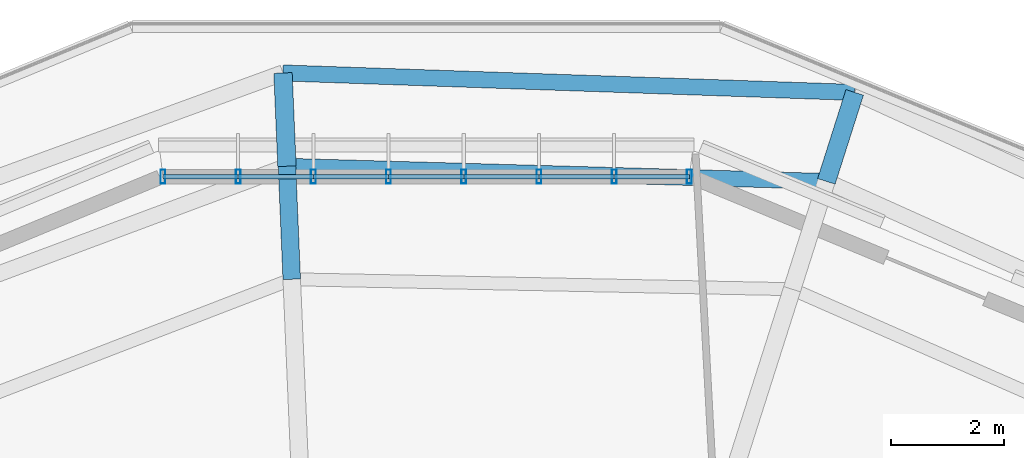
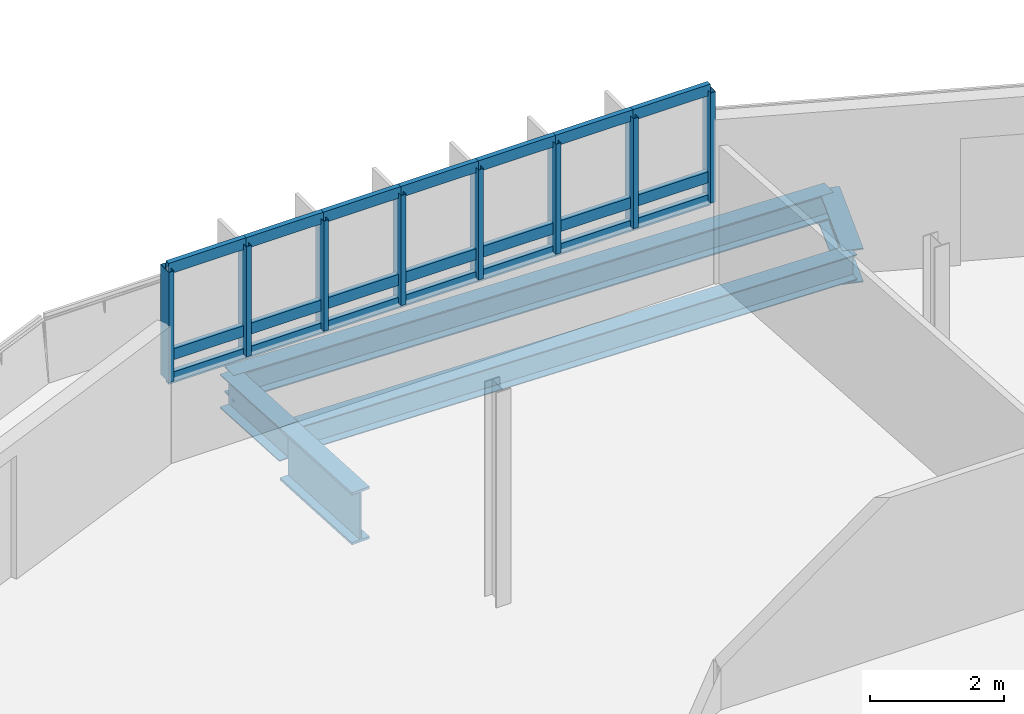
# One storey, part 19 of 31: 29 members, 5 beams, 1 element without a shape of its own.
"""IFC4 building model written with IfcOpenShell, lengths in metres."""

from ifc_helpers import new_model, si_unit, derived_unit, direction, frame, origin, origin_2d, place, context, subcontext, project, spatial, hollow_rectangle, i_section, extrude, material, layer, layer_set, material_profile, profile_set, type_object, element, aggregate, save


model = new_model("IFC4")

# Units and contexts
model_context = context("Model", 3, precision=1e-05, world=origin(), true_north=direction((0.0, 1.0)))
body_context = subcontext(model_context, "Body", "Model", "MODEL_VIEW")
ifc_project = project(units=[si_unit("LENGTHUNIT", "METRE"), si_unit("AREAUNIT", "SQUARE_METRE"), si_unit("VOLUMEUNIT", "CUBIC_METRE"), si_unit("PLANEANGLEUNIT", "RADIAN"), si_unit("MASSUNIT", "GRAM", prefix="KILO"), derived_unit("THERMALTRANSMITTANCEUNIT", [(si_unit("MASSUNIT", "GRAM", prefix="KILO"), 1), (si_unit("TIMEUNIT", "SECOND"), -3), (si_unit("THERMODYNAMICTEMPERATUREUNIT", "KELVIN"), -1)])], contexts=[model_context])

# Site, building, storey
site_placement = place(None, origin())
site = spatial("IfcSite", under=ifc_project, at=site_placement, CompositionType="ELEMENT")
building_placement = place(site_placement, origin())
building = spatial("IfcBuilding", under=site, at=building_placement, Name="Makaiwela Harbour Ferry Terminal", CompositionType="ELEMENT")
storey_placement = place(building_placement, frame((0.0, 0.0, 21.60009765625)))
storey = spatial("IfcBuildingStorey", under=building, at=storey_placement, Name="L05", CompositionType="ELEMENT", Elevation=21.60009765625)

# Curtain wall, members
ifc_material_1 = material(Name="Marine anodised aluminium 6063-T6", Category="aluminium")
ifc_layer = layer(ifc_material_1, 0.199951171875)
ifc_layer_set = layer_set([ifc_layer], Name="Marine anodised aluminium 6063-T6")
curtain_wall_type = type_object("IfcCurtainWallType", Name="ENV-CW-07", PredefinedType="USERDEFINED", material=ifc_layer_set)
curtain_wall_placement = place(storey_placement, origin())
curtain_wall = element("IfcCurtainWall", 1, at=curtain_wall_placement, inside=storey, type_object=curtain_wall_type, Name="Unitised Curtain Wall CWA-060", ObjectType="UNITIZED CURTAIN WALL", PredefinedType="USERDEFINED")
ifc_material_profile_1 = material_profile(ifc_material_1, hollow_rectangle(XDim=0.0849609375, YDim=0.25, WallThickness=0.0048828125, at=origin_2d()), Name="CWM-250X85")
ifc_profile_set_1 = profile_set([ifc_material_profile_1], Name="Marine anodised aluminium 6063-T6")
member_type_1 = type_object("IfcMemberType", Name="CW-MUL-250", PredefinedType="MULLION", material=ifc_profile_set_1)
member_1_placement = place(storey_placement, frame((40.2021484375, 92.638916015625, 1.47998046875), z_axis=(0.0, 0.0, 1.0), x_axis=(1.0, 0.0, 0.0)))
member_1 = element("IfcMember", 2, at=member_1_placement, type_object=member_type_1, Name="Curtain Wall Mullion CWA-060-1", PredefinedType="MULLION", context=body_context, shape_type="SweptSolid", body=[
    extrude(hollow_rectangle(XDim=0.0849609375, YDim=0.25, WallThickness=0.0048828125, at=origin_2d()), origin(), (0.0, 0.0, 1.0), 2.0),
])
member_2_placement = place(storey_placement, frame((38.873046875, 92.638916015625, 1.47998046875), z_axis=(0.0, 0.0, 1.0), x_axis=(1.0, 0.0, 0.0)))
member_2 = element("IfcMember", 3, at=member_2_placement, type_object=member_type_1, Name="Curtain Wall Mullion CWA-060-2", PredefinedType="MULLION", context=body_context, shape_type="SweptSolid", body=[
    extrude(hollow_rectangle(XDim=0.0849609375, YDim=0.25, WallThickness=0.0048828125, at=origin_2d()), origin(), (0.0, 0.0, 1.0), 2.0),
])
member_3_placement = place(storey_placement, frame((37.543701171875, 92.638916015625, 1.47998046875), z_axis=(0.0, 0.0, 1.0), x_axis=(1.0, 0.0, 0.0)))
member_3 = element("IfcMember", 4, at=member_3_placement, type_object=member_type_1, Name="Curtain Wall Mullion CWA-060-3", PredefinedType="MULLION", context=body_context, shape_type="SweptSolid", body=[
    extrude(hollow_rectangle(XDim=0.0849609375, YDim=0.25, WallThickness=0.0048828125, at=origin_2d()), origin(), (0.0, 0.0, 1.0), 2.0),
])
member_4_placement = place(storey_placement, frame((36.214599609375, 92.638916015625, 1.47998046875), z_axis=(0.0, 0.0, 1.0), x_axis=(1.0, 0.0, 0.0)))
member_4 = element("IfcMember", 5, at=member_4_placement, type_object=member_type_1, Name="Curtain Wall Mullion CWA-060-4", PredefinedType="MULLION", context=body_context, shape_type="SweptSolid", body=[
    extrude(hollow_rectangle(XDim=0.0849609375, YDim=0.25, WallThickness=0.0048828125, at=origin_2d()), origin(), (0.0, 0.0, 1.0), 2.0),
])
member_5_placement = place(storey_placement, frame((34.885498046875, 92.638916015625, 1.47998046875), z_axis=(0.0, 0.0, 1.0), x_axis=(1.0, 0.0, 0.0)))
member_5 = element("IfcMember", 6, at=member_5_placement, type_object=member_type_1, Name="Curtain Wall Mullion CWA-060-5", PredefinedType="MULLION", context=body_context, shape_type="SweptSolid", body=[
    extrude(hollow_rectangle(XDim=0.0849609375, YDim=0.25, WallThickness=0.0048828125, at=origin_2d()), origin(), (0.0, 0.0, 1.0), 2.0),
])
member_6_placement = place(storey_placement, frame((33.55615234375, 92.638916015625, 1.47998046875), z_axis=(0.0, 0.0, 1.0), x_axis=(1.0, 0.0, 0.0)))
member_6 = element("IfcMember", 7, at=member_6_placement, type_object=member_type_1, Name="Curtain Wall Mullion CWA-060-6", PredefinedType="MULLION", context=body_context, shape_type="SweptSolid", body=[
    extrude(hollow_rectangle(XDim=0.0849609375, YDim=0.25, WallThickness=0.0048828125, at=origin_2d()), origin(), (0.0, 0.0, 1.0), 2.0),
])
member_7_placement = place(storey_placement, frame((32.22705078125, 92.638916015625, 1.47998046875), z_axis=(0.0, 0.0, 1.0), x_axis=(1.0, 0.0, 0.0)))
member_7 = element("IfcMember", 8, at=member_7_placement, type_object=member_type_1, Name="Curtain Wall Mullion CWA-060-7", PredefinedType="MULLION", context=body_context, shape_type="SweptSolid", body=[
    extrude(hollow_rectangle(XDim=0.0849609375, YDim=0.25, WallThickness=0.0048828125, at=origin_2d()), origin(), (0.0, 0.0, 1.0), 2.0),
])
member_8_placement = place(storey_placement, frame((30.897705078125, 92.638916015625, 1.47998046875), z_axis=(0.0, 0.0, 1.0), x_axis=(1.0, 0.0, 0.0)))
member_8 = element("IfcMember", 9, at=member_8_placement, type_object=member_type_1, Name="Curtain Wall Mullion CWA-060-8", PredefinedType="MULLION", context=body_context, shape_type="SweptSolid", body=[
    extrude(hollow_rectangle(XDim=0.0849609375, YDim=0.25, WallThickness=0.0048828125, at=origin_2d()), origin(), (0.0, 0.0, 1.0), 2.0),
])
ifc_material_profile_2 = material_profile(ifc_material_1, hollow_rectangle(XDim=0.0849609375, YDim=0.199951171875, WallThickness=0.0048828125, at=origin_2d()), Name="CWT-200X85")
ifc_profile_set_2 = profile_set([ifc_material_profile_2], Name="Marine anodised aluminium 6063-T6")
member_type_2 = type_object("IfcMemberType", Name="CW-TRN-200", PredefinedType="USERDEFINED", material=ifc_profile_set_2)
member_9_placement = place(storey_placement, frame((40.2021484375, 92.638916015625, 1.47998046875), z_axis=(-1.0, 0.0, 0.0), x_axis=(0.0, -1.0, 0.0)))
member_9 = element("IfcMember", 10, at=member_9_placement, type_object=member_type_2, Name="Curtain Wall Transom CWA-060-1-1", ObjectType="TRANSOM", PredefinedType="USERDEFINED", context=body_context, shape_type="SweptSolid", body=[
    extrude(hollow_rectangle(XDim=0.0849609375, YDim=0.199951171875, WallThickness=0.0048828125, at=origin_2d()), origin(), (0.0, 0.0, 1.0), 1.3291015625),
])
member_10_placement = place(storey_placement, frame((40.2021484375, 92.638916015625, 1.89990234375), z_axis=(-1.0, 0.0, 0.0), x_axis=(0.0, -1.0, 0.0)))
member_10 = element("IfcMember", 11, at=member_10_placement, type_object=member_type_2, Name="Curtain Wall Transom CWA-060-1-2", ObjectType="TRANSOM", PredefinedType="USERDEFINED", context=body_context, shape_type="SweptSolid", body=[
    extrude(hollow_rectangle(XDim=0.0849609375, YDim=0.199951171875, WallThickness=0.0048828125, at=origin_2d()), origin(), (0.0, 0.0, 1.0), 1.3291015625),
])
member_11_placement = place(storey_placement, frame((40.2021484375, 92.638916015625, 3.47998046875), z_axis=(-1.0, 0.0, 0.0), x_axis=(0.0, -1.0, 0.0)))
member_11 = element("IfcMember", 12, at=member_11_placement, type_object=member_type_2, Name="Curtain Wall Transom CWA-060-1-3", ObjectType="TRANSOM", PredefinedType="USERDEFINED", context=body_context, shape_type="SweptSolid", body=[
    extrude(hollow_rectangle(XDim=0.0849609375, YDim=0.199951171875, WallThickness=0.0048828125, at=origin_2d()), origin(), (0.0, 0.0, 1.0), 1.3291015625),
])
member_12_placement = place(storey_placement, frame((38.873046875, 92.638916015625, 1.47998046875), z_axis=(-1.0, 0.0, 0.0), x_axis=(0.0, -1.0, 0.0)))
member_12 = element("IfcMember", 13, at=member_12_placement, type_object=member_type_2, Name="Curtain Wall Transom CWA-060-2-1", ObjectType="TRANSOM", PredefinedType="USERDEFINED", context=body_context, shape_type="SweptSolid", body=[
    extrude(hollow_rectangle(XDim=0.0849609375, YDim=0.199951171875, WallThickness=0.0048828125, at=origin_2d()), origin(), (0.0, 0.0, 1.0), 1.329345703125),
])
member_13_placement = place(storey_placement, frame((38.873046875, 92.638916015625, 1.89990234375), z_axis=(-1.0, 0.0, 0.0), x_axis=(0.0, -1.0, 0.0)))
member_13 = element("IfcMember", 14, at=member_13_placement, type_object=member_type_2, Name="Curtain Wall Transom CWA-060-2-2", ObjectType="TRANSOM", PredefinedType="USERDEFINED", context=body_context, shape_type="SweptSolid", body=[
    extrude(hollow_rectangle(XDim=0.0849609375, YDim=0.199951171875, WallThickness=0.0048828125, at=origin_2d()), origin(), (0.0, 0.0, 1.0), 1.329345703125),
])
member_14_placement = place(storey_placement, frame((38.873046875, 92.638916015625, 3.47998046875), z_axis=(-1.0, 0.0, 0.0), x_axis=(0.0, -1.0, 0.0)))
member_14 = element("IfcMember", 15, at=member_14_placement, type_object=member_type_2, Name="Curtain Wall Transom CWA-060-2-3", ObjectType="TRANSOM", PredefinedType="USERDEFINED", context=body_context, shape_type="SweptSolid", body=[
    extrude(hollow_rectangle(XDim=0.0849609375, YDim=0.199951171875, WallThickness=0.0048828125, at=origin_2d()), origin(), (0.0, 0.0, 1.0), 1.329345703125),
])
member_15_placement = place(storey_placement, frame((37.543701171875, 92.638916015625, 1.47998046875), z_axis=(-1.0, 0.0, 0.0), x_axis=(0.0, -1.0, 0.0)))
member_15 = element("IfcMember", 16, at=member_15_placement, type_object=member_type_2, Name="Curtain Wall Transom CWA-060-3-1", ObjectType="TRANSOM", PredefinedType="USERDEFINED", context=body_context, shape_type="SweptSolid", body=[
    extrude(hollow_rectangle(XDim=0.0849609375, YDim=0.199951171875, WallThickness=0.0048828125, at=origin_2d()), origin(), (0.0, 0.0, 1.0), 1.3291015625),
])
member_16_placement = place(storey_placement, frame((37.543701171875, 92.638916015625, 1.89990234375), z_axis=(-1.0, 0.0, 0.0), x_axis=(0.0, -1.0, 0.0)))
member_16 = element("IfcMember", 17, at=member_16_placement, type_object=member_type_2, Name="Curtain Wall Transom CWA-060-3-2", ObjectType="TRANSOM", PredefinedType="USERDEFINED", context=body_context, shape_type="SweptSolid", body=[
    extrude(hollow_rectangle(XDim=0.0849609375, YDim=0.199951171875, WallThickness=0.0048828125, at=origin_2d()), origin(), (0.0, 0.0, 1.0), 1.3291015625),
])
member_17_placement = place(storey_placement, frame((37.543701171875, 92.638916015625, 3.47998046875), z_axis=(-1.0, 0.0, 0.0), x_axis=(0.0, -1.0, 0.0)))
member_17 = element("IfcMember", 18, at=member_17_placement, type_object=member_type_2, Name="Curtain Wall Transom CWA-060-3-3", ObjectType="TRANSOM", PredefinedType="USERDEFINED", context=body_context, shape_type="SweptSolid", body=[
    extrude(hollow_rectangle(XDim=0.0849609375, YDim=0.199951171875, WallThickness=0.0048828125, at=origin_2d()), origin(), (0.0, 0.0, 1.0), 1.3291015625),
])
member_18_placement = place(storey_placement, frame((36.214599609375, 92.638916015625, 1.47998046875), z_axis=(-1.0, 0.0, 0.0), x_axis=(0.0, -1.0, 0.0)))
member_18 = element("IfcMember", 19, at=member_18_placement, type_object=member_type_2, Name="Curtain Wall Transom CWA-060-4-1", ObjectType="TRANSOM", PredefinedType="USERDEFINED", context=body_context, shape_type="SweptSolid", body=[
    extrude(hollow_rectangle(XDim=0.0849609375, YDim=0.199951171875, WallThickness=0.0048828125, at=origin_2d()), origin(), (0.0, 0.0, 1.0), 1.3291015625),
])
member_19_placement = place(storey_placement, frame((36.214599609375, 92.638916015625, 1.89990234375), z_axis=(-1.0, 0.0, 0.0), x_axis=(0.0, -1.0, 0.0)))
member_19 = element("IfcMember", 20, at=member_19_placement, type_object=member_type_2, Name="Curtain Wall Transom CWA-060-4-2", ObjectType="TRANSOM", PredefinedType="USERDEFINED", context=body_context, shape_type="SweptSolid", body=[
    extrude(hollow_rectangle(XDim=0.0849609375, YDim=0.199951171875, WallThickness=0.0048828125, at=origin_2d()), origin(), (0.0, 0.0, 1.0), 1.3291015625),
])
member_20_placement = place(storey_placement, frame((36.214599609375, 92.638916015625, 3.47998046875), z_axis=(-1.0, 0.0, 0.0), x_axis=(0.0, -1.0, 0.0)))
member_20 = element("IfcMember", 21, at=member_20_placement, type_object=member_type_2, Name="Curtain Wall Transom CWA-060-4-3", ObjectType="TRANSOM", PredefinedType="USERDEFINED", context=body_context, shape_type="SweptSolid", body=[
    extrude(hollow_rectangle(XDim=0.0849609375, YDim=0.199951171875, WallThickness=0.0048828125, at=origin_2d()), origin(), (0.0, 0.0, 1.0), 1.3291015625),
])
member_21_placement = place(storey_placement, frame((34.885498046875, 92.638916015625, 1.47998046875), z_axis=(-1.0, 0.0, 0.0), x_axis=(0.0, -1.0, 0.0)))
member_21 = element("IfcMember", 22, at=member_21_placement, type_object=member_type_2, Name="Curtain Wall Transom CWA-060-5-1", ObjectType="TRANSOM", PredefinedType="USERDEFINED", context=body_context, shape_type="SweptSolid", body=[
    extrude(hollow_rectangle(XDim=0.0849609375, YDim=0.199951171875, WallThickness=0.0048828125, at=origin_2d()), origin(), (0.0, 0.0, 1.0), 1.329345703125),
])
member_22_placement = place(storey_placement, frame((34.885498046875, 92.638916015625, 1.89990234375), z_axis=(-1.0, 0.0, 0.0), x_axis=(0.0, -1.0, 0.0)))
member_22 = element("IfcMember", 23, at=member_22_placement, type_object=member_type_2, Name="Curtain Wall Transom CWA-060-5-2", ObjectType="TRANSOM", PredefinedType="USERDEFINED", context=body_context, shape_type="SweptSolid", body=[
    extrude(hollow_rectangle(XDim=0.0849609375, YDim=0.199951171875, WallThickness=0.0048828125, at=origin_2d()), origin(), (0.0, 0.0, 1.0), 1.329345703125),
])
member_23_placement = place(storey_placement, frame((34.885498046875, 92.638916015625, 3.47998046875), z_axis=(-1.0, 0.0, 0.0), x_axis=(0.0, -1.0, 0.0)))
member_23 = element("IfcMember", 24, at=member_23_placement, type_object=member_type_2, Name="Curtain Wall Transom CWA-060-5-3", ObjectType="TRANSOM", PredefinedType="USERDEFINED", context=body_context, shape_type="SweptSolid", body=[
    extrude(hollow_rectangle(XDim=0.0849609375, YDim=0.199951171875, WallThickness=0.0048828125, at=origin_2d()), origin(), (0.0, 0.0, 1.0), 1.329345703125),
])
member_24_placement = place(storey_placement, frame((33.55615234375, 92.638916015625, 1.47998046875), z_axis=(-1.0, 0.0, 0.0), x_axis=(0.0, -1.0, 0.0)))
member_24 = element("IfcMember", 25, at=member_24_placement, type_object=member_type_2, Name="Curtain Wall Transom CWA-060-6-1", ObjectType="TRANSOM", PredefinedType="USERDEFINED", context=body_context, shape_type="SweptSolid", body=[
    extrude(hollow_rectangle(XDim=0.0849609375, YDim=0.199951171875, WallThickness=0.0048828125, at=origin_2d()), origin(), (0.0, 0.0, 1.0), 1.3291015625),
])
member_25_placement = place(storey_placement, frame((33.55615234375, 92.638916015625, 1.89990234375), z_axis=(-1.0, 0.0, 0.0), x_axis=(0.0, -1.0, 0.0)))
member_25 = element("IfcMember", 26, at=member_25_placement, type_object=member_type_2, Name="Curtain Wall Transom CWA-060-6-2", ObjectType="TRANSOM", PredefinedType="USERDEFINED", context=body_context, shape_type="SweptSolid", body=[
    extrude(hollow_rectangle(XDim=0.0849609375, YDim=0.199951171875, WallThickness=0.0048828125, at=origin_2d()), origin(), (0.0, 0.0, 1.0), 1.3291015625),
])
member_26_placement = place(storey_placement, frame((33.55615234375, 92.638916015625, 3.47998046875), z_axis=(-1.0, 0.0, 0.0), x_axis=(0.0, -1.0, 0.0)))
member_26 = element("IfcMember", 27, at=member_26_placement, type_object=member_type_2, Name="Curtain Wall Transom CWA-060-6-3", ObjectType="TRANSOM", PredefinedType="USERDEFINED", context=body_context, shape_type="SweptSolid", body=[
    extrude(hollow_rectangle(XDim=0.0849609375, YDim=0.199951171875, WallThickness=0.0048828125, at=origin_2d()), origin(), (0.0, 0.0, 1.0), 1.3291015625),
])
member_27_placement = place(storey_placement, frame((32.22705078125, 92.638916015625, 1.47998046875), z_axis=(-1.0, 0.0, 0.0), x_axis=(0.0, -1.0, 0.0)))
member_27 = element("IfcMember", 28, at=member_27_placement, type_object=member_type_2, Name="Curtain Wall Transom CWA-060-7-1", ObjectType="TRANSOM", PredefinedType="USERDEFINED", context=body_context, shape_type="SweptSolid", body=[
    extrude(hollow_rectangle(XDim=0.0849609375, YDim=0.199951171875, WallThickness=0.0048828125, at=origin_2d()), origin(), (0.0, 0.0, 1.0), 1.329345703125),
])
member_28_placement = place(storey_placement, frame((32.22705078125, 92.638916015625, 1.89990234375), z_axis=(-1.0, 0.0, 0.0), x_axis=(0.0, -1.0, 0.0)))
member_28 = element("IfcMember", 29, at=member_28_placement, type_object=member_type_2, Name="Curtain Wall Transom CWA-060-7-2", ObjectType="TRANSOM", PredefinedType="USERDEFINED", context=body_context, shape_type="SweptSolid", body=[
    extrude(hollow_rectangle(XDim=0.0849609375, YDim=0.199951171875, WallThickness=0.0048828125, at=origin_2d()), origin(), (0.0, 0.0, 1.0), 1.329345703125),
])
member_29_placement = place(storey_placement, frame((32.22705078125, 92.638916015625, 3.47998046875), z_axis=(-1.0, 0.0, 0.0), x_axis=(0.0, -1.0, 0.0)))
member_29 = element("IfcMember", 30, at=member_29_placement, type_object=member_type_2, Name="Curtain Wall Transom CWA-060-7-3", ObjectType="TRANSOM", PredefinedType="USERDEFINED", context=body_context, shape_type="SweptSolid", body=[
    extrude(hollow_rectangle(XDim=0.0849609375, YDim=0.199951171875, WallThickness=0.0048828125, at=origin_2d()), origin(), (0.0, 0.0, 1.0), 1.329345703125),
])
aggregate(curtain_wall, [member_1, member_2, member_3, member_4, member_5, member_6, member_7, member_8, member_9, member_10, member_11, member_12, member_13, member_14, member_15, member_16, member_17, member_18, member_19, member_20, member_21, member_22, member_23, member_24, member_25, member_26, member_27, member_28, member_29])

# Beams
ifc_material_2 = material(Name="Steel ASTM A992 Grade 50", Category="steel")
ifc_material_profile_3 = material_profile(ifc_material_2, i_section(OverallWidth=0.280029296875, OverallDepth=0.462890625, WebThickness=0.0107421875, FlangeThickness=0.017333984375, at=origin_2d()), Name="W18X76")
ifc_profile_set_3 = profile_set([ifc_material_profile_3], Name="Steel ASTM A992 Grade 50")
beam_type_1 = type_object("IfcBeamType", Name="STR-BM-W18X76", PredefinedType="BEAM", material=ifc_profile_set_3)
beam_1_placement = place(storey_placement, frame((42.623291015625, 92.556396484375, -0.481689453125), z_axis=(-0.999606406345, 0.028054097648, 0.0), x_axis=(-0.028054097648, -0.999606406345, 0.0)))
element("IfcBeam", 31, at=beam_1_placement, inside=storey, type_object=beam_type_1, Name="Drum stage2 tie girder 584", PredefinedType="BEAM", context=body_context, shape_type="SweptSolid", body=[
    extrude(i_section(OverallWidth=0.280029296875, OverallDepth=0.462890625, WebThickness=0.0107421875, FlangeThickness=0.017333984375, at=origin_2d()), origin(), (0.0, 0.0, 1.0), 9.537841796875),
])
ifc_material_profile_4 = material_profile(ifc_material_2, i_section(OverallWidth=0.324951171875, OverallDepth=0.615966796875, WebThickness=0.013916015625, FlangeThickness=0.021484375, at=origin_2d()), Name="W24X117")
ifc_profile_set_4 = profile_set([ifc_material_profile_4], Name="Steel ASTM A992 Grade 50")
beam_type_2 = type_object("IfcBeamType", Name="STR-GRD-W24X117", PredefinedType="USERDEFINED", material=ifc_profile_set_4)
for number, where, z_axis, x_axis, name in (
    (32, (42.623291015625, 92.556396484375, -0.55810546875), (0.303191442056, 0.952929666588, 0.0), (-0.952929666588, 0.303191442056, 0.0), "Promenade terrace bracket 536"),
    (33, (33.089111328125, 92.823974609375, -0.55810546875), (-0.04246757726, 0.999097845499, 0.0), (-0.999097845499, -0.04246757726, 0.0), "Promenade terrace bracket 540"),
):
    element("IfcBeam", number, at=place(storey_placement, frame(where, z_axis=z_axis, x_axis=x_axis)), inside=storey, type_object=beam_type_2, Name=name, ObjectType="GIRDER", PredefinedType="USERDEFINED", context=body_context, shape_type="SweptSolid", body=[
        extrude(i_section(OverallWidth=0.324951171875, OverallDepth=0.615966796875, WebThickness=0.013916015625, FlangeThickness=0.021484375, at=origin_2d()), origin(), (0.0, 0.0, 1.0), 1.64990234375),
    ])
ifc_material_profile_5 = material_profile(ifc_material_2, i_section(OverallWidth=0.31005859375, OverallDepth=0.949951171875, WebThickness=0.0244140625, FlangeThickness=0.0439453125, at=origin_2d()), Name="W36X256")
ifc_profile_set_5 = profile_set([ifc_material_profile_5], Name="Steel ASTM A992 Grade 50")
beam_type_3 = type_object("IfcBeamType", Name="STR-GRD-W36X256", PredefinedType="USERDEFINED", material=ifc_profile_set_5)
beam_2_placement = place(storey_placement, frame((33.173583984375, 90.82568359375, -0.72509765625), z_axis=(-0.042234730559, 0.999107715682, 0.0), x_axis=(-0.999107715682, -0.042234730559, 0.0)))
element("IfcBeam", 34, at=beam_2_placement, inside=storey, type_object=beam_type_3, Name="Drum overhang radial girder 539", ObjectType="GIRDER", PredefinedType="USERDEFINED", context=body_context, shape_type="SweptSolid", body=[
    extrude(i_section(OverallWidth=0.31005859375, OverallDepth=0.949951171875, WebThickness=0.0244140625, FlangeThickness=0.0439453125, at=origin_2d()), origin(), (0.0, 0.0, 1.0), 2.0),
])
ifc_material_profile_6 = material_profile(ifc_material_2, i_section(OverallWidth=0.283935546875, OverallDepth=0.47607421875, WebThickness=0.014892578125, FlangeThickness=0.02392578125, at=origin_2d()), Name="W18X106")
ifc_profile_set_6 = profile_set([ifc_material_profile_6], Name="Steel ASTM A992 Grade 50")
beam_type_4 = type_object("IfcBeamType", Name="STR-SPN-W18X106", PredefinedType="SPANDREL", material=ifc_profile_set_6)
beam_3_placement = place(storey_placement, frame((43.12353515625, 94.128662109375, -0.488037109375), z_axis=(-0.999421837836, 0.033999853766, 0.0), x_axis=(-0.033999853766, -0.999421837836, 0.0)))
element("IfcBeam", 35, at=beam_3_placement, inside=storey, type_object=beam_type_4, Name="Drum perimeter spandrel 605", PredefinedType="SPANDREL", context=body_context, shape_type="SweptSolid", body=[
    extrude(i_section(OverallWidth=0.283935546875, OverallDepth=0.47607421875, WebThickness=0.014892578125, FlangeThickness=0.02392578125, at=origin_2d()), origin(), (0.0, 0.0, 1.0), 10.1103515625),
])

save(model, "model.ifc")
